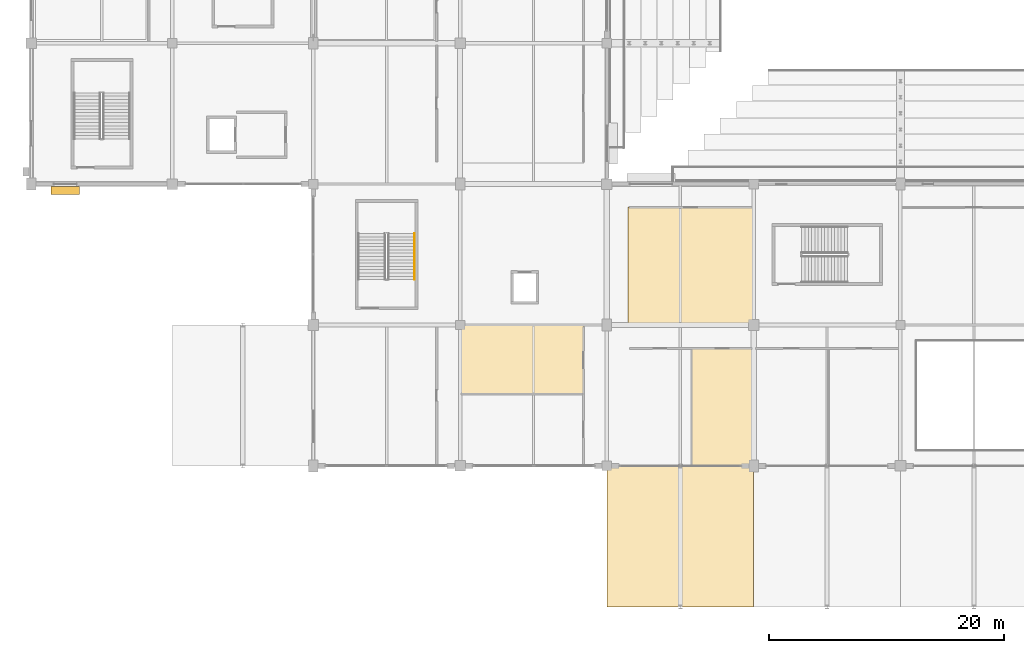
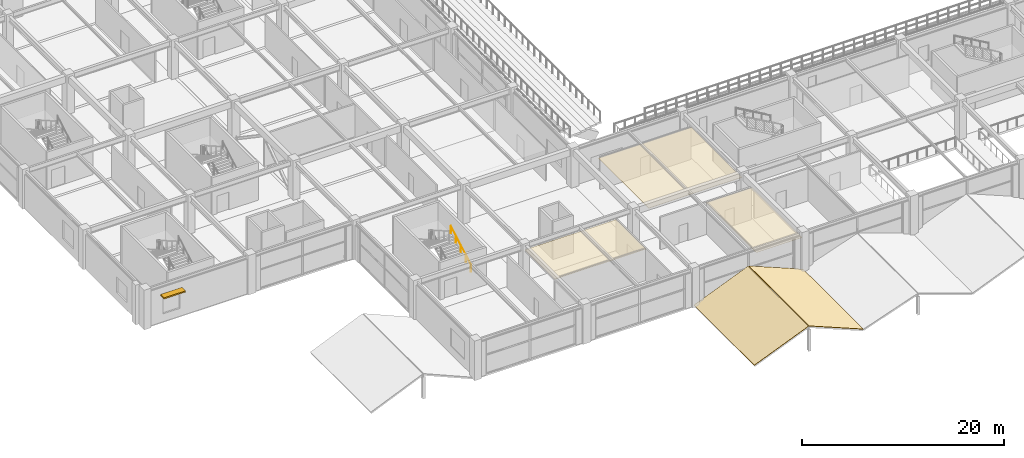
# One storey, part 98 of 134: 5 coverings, 1 railing, 1 shading device.
"""IFC4 building model written with IfcOpenShell, lengths in metres."""

from ifc_helpers import new_model, si_unit, direction, frame, origin, origin_2d, place, context, subcontext, project, spatial, polyline, rectangle, circle, outline, extrude, material, layer, layer_set, type_object, element, save


model = new_model("IFC4")

# Units and contexts
model_context = context("Model", 3, precision=1e-05, world=origin(), true_north=direction((0.0, 1.0)))
body_context = subcontext(model_context, "Body", "Model", "MODEL_VIEW")
ifc_project = project(units=[si_unit("LENGTHUNIT", "METRE"), si_unit("AREAUNIT", "SQUARE_METRE"), si_unit("VOLUMEUNIT", "CUBIC_METRE"), si_unit("PLANEANGLEUNIT", "RADIAN"), si_unit("MASSUNIT", "GRAM", prefix="KILO")], contexts=[model_context])

# Site, building, storey
site_placement = place(None, origin())
site = spatial("IfcSite", under=ifc_project, at=site_placement, CompositionType="ELEMENT")
building_placement = place(site_placement, origin())
building = spatial("IfcBuilding", under=site, at=building_placement, Name="Kazenohara Klinker Stadium", CompositionType="ELEMENT")
storey_placement = place(building_placement, frame((0.0, 0.0, 5.39990234375)))
storey = spatial("IfcBuildingStorey", under=building, at=storey_placement, Name="L01", CompositionType="ELEMENT", Elevation=5.39990234375)

# Coverings
ifc_material_1 = material(Name="Perforated acoustic mineral-fibre ceiling tile", Category="gypsum")
ifc_layer_1 = layer(ifc_material_1, 0.030029296875)
ifc_layer_set_1 = layer_set([ifc_layer_1], Name="Perforated acoustic mineral-fibre ceiling tile")
covering_type_1 = type_object("IfcCoveringType", Name="COV-CEIL-01", PredefinedType="CEILING", material=ifc_layer_set_1)
covering_1_placement = place(storey_placement, frame((0.0, 0.0, 3.75)))
element("IfcCovering", 1, at=covering_1_placement, inside=storey, type_object=covering_type_1, Name="Suspended acoustic ceiling CL01 Family Sensory Hospitality Lounge L01-0401B", PredefinedType="CEILING", context=body_context, shape_type="SweptSolid", body=[
    extrude(outline(polyline([(56.194091796875, 12.06005859375), (61.4599609375, 12.06005859375), (61.4599609375, 22.0400390625), (56.194091796875, 22.0400390625), (56.194091796875, 12.06005859375)])), origin(), (0.0, 0.0, 1.0), 0.030029296875),
])
ifc_material_2 = material(Name="Slatted Hokkaido cedar acoustic baffle ceiling", Category="wood")
ifc_layer_2 = layer(ifc_material_2, 0.0400390625)
ifc_layer_set_2 = layer_set([ifc_layer_2], Name="Slatted Hokkaido cedar acoustic baffle ceiling")
covering_type_2 = type_object("IfcCoveringType", Name="COV-CEIL-02", PredefinedType="CEILING", material=ifc_layer_set_2)
covering_2_placement = place(storey_placement, frame((0.0, 0.0, 3.739990234375)))
element("IfcCovering", 2, at=covering_2_placement, inside=storey, type_object=covering_type_2, Name="Suspended acoustic ceiling CL02 Supporter Scarf and Jersey Retail Shop L01-0301B", PredefinedType="CEILING", context=body_context, shape_type="SweptSolid", body=[
    extrude(outline(polyline([(36.56005859375, 18.076904296875), (47.0400390625, 18.076904296875), (47.0400390625, 23.9599609375), (36.56005859375, 23.9599609375), (36.56005859375, 18.076904296875)])), origin(), (0.0, 0.0, 1.0), 0.0400390625),
])
covering_3_placement = place(storey_placement, frame((0.0, 0.0, 3.739990234375)))
element("IfcCovering", 3, at=covering_3_placement, inside=storey, type_object=covering_type_2, Name="Suspended acoustic ceiling CL02 Community Martial Arts Fitness Studio L01-0402A", PredefinedType="CEILING", context=body_context, shape_type="SweptSolid", body=[
    extrude(outline(polyline([(50.800048828125, 24.06005859375), (61.4599609375, 24.06005859375), (61.4599609375, 34.0400390625), (50.800048828125, 34.0400390625), (50.800048828125, 24.06005859375)])), origin(), (0.0, 0.0, 1.0), 0.0400390625),
])
ifc_material_3 = material(Name="Insulated standing-seam copper roofing", Category="metal")
ifc_layer_3 = layer(ifc_material_3, 0.050048828125)
ifc_layer_set_3 = layer_set([ifc_layer_3], Name="Insulated standing-seam copper roofing")
covering_type_3 = type_object("IfcCoveringType", Name="COV-ROOF-01", PredefinedType="ROOFING", material=ifc_layer_set_3)
for number, where, z_axis, x_axis, name in (
    (4, (49.0, 0.0, -0.02978515625), (-0.380352293876, 0.0, 0.924841679718), (0.924841679718, 0.0, 0.380352293876), "Standing-seam copper stepped wing roofing L01-A 5/A"),
    (5, (55.300048828125, 0.0, 2.52001953125), (0.380352293876, 0.0, 0.924841679718), (0.924841679718, 0.0, -0.380352293876), "Standing-seam copper stepped wing roofing L01-B 5/A"),
):
    element("IfcCovering", number, at=place(storey_placement, frame(where, z_axis=z_axis, x_axis=x_axis)), inside=storey, type_object=covering_type_3, Name=name, PredefinedType="ROOFING", context=body_context, shape_type="SweptSolid", body=[
        extrude(outline(polyline([(0.0, 0.0), (6.703797317791698, 0.0), (6.703797317791698, 12.0), (0.0, 12.0), (0.0, 0.0)])), origin(), (0.0, 0.0, -1.0), 0.050048828125),
    ])

# Railing
ifc_material_4 = material(Name="Brushed stainless steel 304 handrail", Category="steel")
ifc_layer_4 = layer(ifc_material_4, 0.050048828125)
ifc_layer_set_4 = layer_set([ifc_layer_4], Name="Brushed stainless steel 304 handrail")
railing_type = type_object("IfcRailingType", Name="RL-HND-900", PredefinedType="HANDRAIL", material=ifc_layer_set_4)
railing_placement = place(storey_placement, frame((32.6298828125, 27.8701171875, 0.16015625)))
element("IfcRailing", 6, at=railing_placement, inside=storey, type_object=railing_type, Name="L01 ST07 stair handrail 1", PredefinedType="HANDRAIL", context=body_context, shape_type="SweptSolid", body=[
    extrude(circle(Radius=0.02392578125, at=origin_2d()), frame((0.0, 0.0, 0.8759765625), z_axis=(0.0, 0.868239814368, 0.496144761885), x_axis=(-1.0, 0.0, 0.0)), (0.0, 0.0, 1.0), 4.514892578125),
    extrude(circle(Radius=0.02099609375, at=origin_2d()), origin(), (0.0, 0.0, 1.0), 0.851806640625),
    extrude(circle(Radius=0.02099609375, at=origin_2d()), frame((0.0, 0.97998046875, 0.56005859375)), (0.0, 0.0, 1.0), 0.851806640625),
    extrude(circle(Radius=0.02099609375, at=origin_2d()), frame((0.0, 1.9599609375, 1.1201171875)), (0.0, 0.0, 1.0), 0.851806640625),
    extrude(circle(Radius=0.02099609375, at=origin_2d()), frame((0.0, 2.93994140625, 1.679931640625)), (0.0, 0.0, 1.0), 0.851806640625),
    extrude(circle(Radius=0.02099609375, at=origin_2d()), frame((0.0, 3.919921875, 2.239990234375)), (0.0, 0.0, 1.0), 0.851806640625),
])

# Shading device
ifc_material_5 = material(Name="Bronze-anodised aluminium snow-hood sunshade", Category="aluminium")
shading_device_type = type_object("IfcShadingDeviceType", Name="SHD-SUN-01", PredefinedType="AWNING", material=ifc_material_5)
shading_device_placement = place(storey_placement, frame((2.87890625, 35.449951171875, 3.25), z_axis=(0.0, 0.0, 1.0), x_axis=(1.0, 0.0, 0.0)))
element("IfcShadingDevice", 7, at=shading_device_placement, inside=storey, type_object=shading_device_type, Name="Bronze snow-hood sunshade SS01-01", PredefinedType="AWNING", context=body_context, shape_type="SweptSolid", body=[
    extrude(rectangle(XDim=2.449951171875, YDim=0.699951171875, at=origin_2d()), origin(), (0.0, 0.0, 1.0), 0.159912109375),
])

save(model, "model.ifc")
